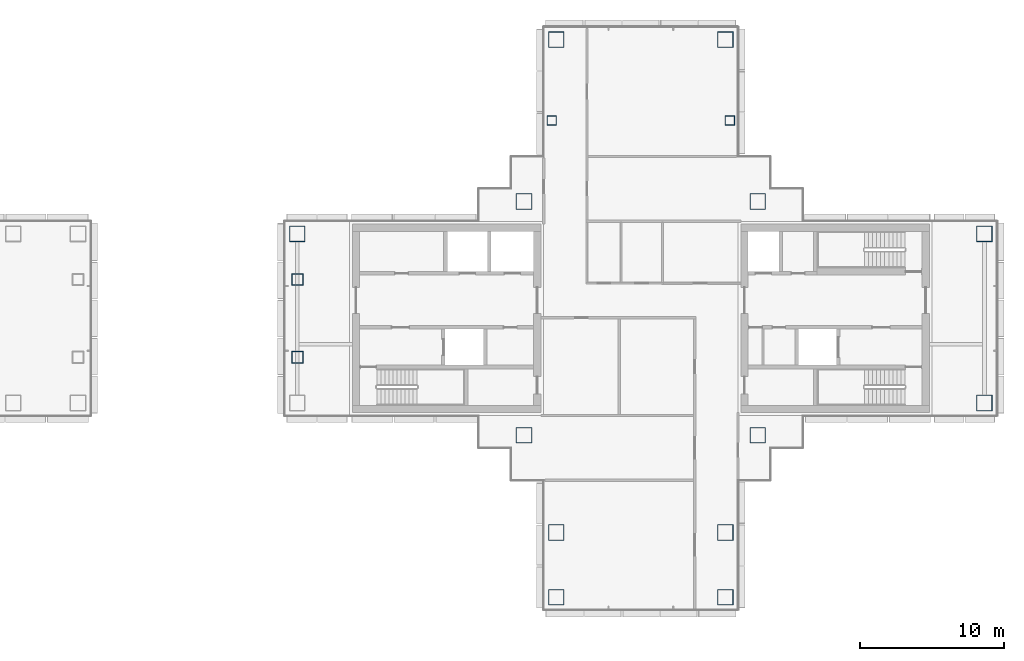
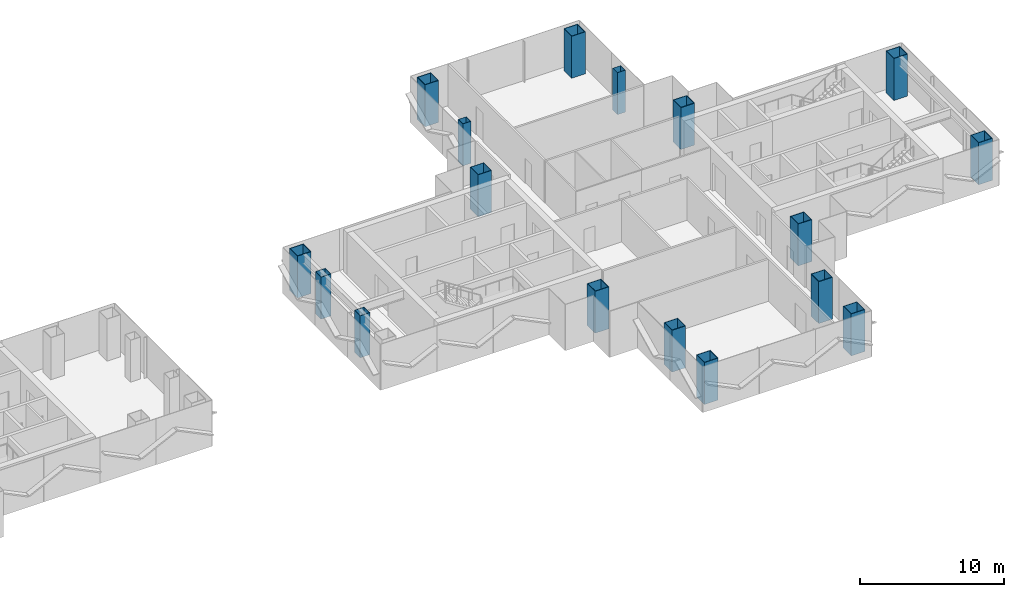
# One storey, part 2 of 16: 17 columns.
"""IFC4 building model written with IfcOpenShell, lengths in metres."""

from ifc_helpers import new_model, si_unit, direction, frame, origin, origin_2d, place, context, subcontext, project, spatial, hollow_rectangle, extrude, material, material_profile, profile_set, type_object, element, save


model = new_model("IFC4")

# Units and contexts
model_context = context("Model", 3, precision=1e-05, world=origin(), true_north=direction((0.0, 1.0)))
body_context = subcontext(model_context, "Body", "Model", "MODEL_VIEW")
ifc_project = project(units=[si_unit("LENGTHUNIT", "METRE"), si_unit("AREAUNIT", "SQUARE_METRE"), si_unit("VOLUMEUNIT", "CUBIC_METRE"), si_unit("PLANEANGLEUNIT", "RADIAN"), si_unit("MASSUNIT", "GRAM", prefix="KILO")], contexts=[model_context])

# Site, building, storey
site_placement = place(None, origin())
site = spatial("IfcSite", under=ifc_project, at=site_placement, CompositionType="ELEMENT")
building_placement = place(site_placement, origin())
building = spatial("IfcBuilding", under=site, at=building_placement, Name="Shamsa Quay Exchange Towers", CompositionType="ELEMENT")
storey_placement = place(building_placement, frame((0.0, 0.0, 162.300048828125)))
storey = spatial("IfcBuildingStorey", under=building, at=storey_placement, Name="L38", CompositionType="ELEMENT", Elevation=162.300048828125)

# Columns
ifc_material_1 = material(Name="Concrete-filled steel tube S355 / C80/95", Category="concrete")
ifc_material_profile_1 = material_profile(ifc_material_1, hollow_rectangle(XDim=1.10009765625, YDim=1.10009765625, WallThickness=0.0400390625, at=origin_2d()), Name="CFT 1100x1100x40")
ifc_profile_set_1 = profile_set([ifc_material_profile_1], Name="Concrete-filled steel tube S355 / C80/95")
column_type_1 = type_object("IfcColumnType", Name="Column CFT 1100x1100x40", PredefinedType="COLUMN", material=ifc_profile_set_1)
for number, where, name in (
    (1, (25.625, 8.125, 0.0), "Mega column T2-CM01"),
    (2, (41.875, 8.125, 0.0), "Mega column T2-CM02"),
    (3, (25.625, -8.125, 0.0), "Mega column T2-CM03"),
    (4, (41.875, -8.125, 0.0), "Mega column T2-CM04"),
    (5, (39.625, 19.375, 0.0), "Mega column T2-CM06"),
    (6, (27.875, 19.375, 0.0), "Mega column T2-CM10"),
    (7, (39.625, -14.875, 0.0), "Mega column T2-CM13"),
    (8, (39.625, -19.375, 0.0), "Mega column T2-CM14"),
    (9, (27.875, -14.875, 0.0), "Mega column T2-CM16"),
    (10, (27.875, -19.375, 0.0), "Mega column T2-CM17"),
    (11, (9.875, 5.875, 0.0), "Mega column T2-CM20"),
    (12, (57.625, -5.875, 0.0), "Mega column T2-CM21"),
    (13, (57.625, 5.875, 0.0), "Mega column T2-CM23"),
):
    element("IfcColumn", number, at=place(storey_placement, frame(where)), inside=storey, type_object=column_type_1, Name=name, PredefinedType="COLUMN", context=body_context, shape_type="SweptSolid", body=[
        extrude(hollow_rectangle(XDim=1.10009765625, YDim=1.10009765625, WallThickness=0.0400390625, at=origin_2d()), origin(), (0.0, 0.0, 1.0), 3.550048828125),
    ])
ifc_material_2 = material(Name="Concrete-filled steel tube S355 / C60/75", Category="concrete")
ifc_material_profile_2 = material_profile(ifc_material_2, hollow_rectangle(XDim=0.64990234375, YDim=0.64990234375, WallThickness=0.02001953125, at=origin_2d()), Name="CFT 650x650x20")
ifc_profile_set_2 = profile_set([ifc_material_profile_2], Name="Concrete-filled steel tube S355 / C60/75")
column_type_2 = type_object("IfcColumnType", Name="Column CFT 650x650x20", PredefinedType="COLUMN", material=ifc_profile_set_2)
for number, where, name in (
    (14, (39.9375, 13.75, 0.0), "Perimeter column T2-CP05"),
    (15, (27.5625, 13.75, 0.0), "Perimeter column T2-CP09"),
):
    element("IfcColumn", number, at=place(storey_placement, frame(where)), inside=storey, type_object=column_type_2, Name=name, PredefinedType="COLUMN", context=body_context, shape_type="SweptSolid", body=[
        extrude(hollow_rectangle(XDim=0.64990234375, YDim=0.64990234375, WallThickness=0.02001953125, at=origin_2d()), origin(), (0.0, 0.0, 1.0), 3.550048828125),
    ])
ifc_material_3 = material(Name="Concrete-filled steel tube S355 / C70/85", Category="concrete")
ifc_material_profile_3 = material_profile(ifc_material_3, hollow_rectangle(XDim=0.800048828125, YDim=0.800048828125, WallThickness=0.030029296875, at=origin_2d()), Name="CFT 800x800x30")
ifc_profile_set_3 = profile_set([ifc_material_profile_3], Name="Concrete-filled steel tube S355 / C70/85")
column_type_3 = type_object("IfcColumnType", Name="Landing column CFT 800x800x30", PredefinedType="COLUMN", material=ifc_profile_set_3)
for number, where, name in (
    (16, (9.875, -2.699951171875, 0.0), "Landing column T2 S"),
    (17, (9.875, 2.699951171875, 0.0), "Landing column T2 N"),
):
    element("IfcColumn", number, at=place(storey_placement, frame(where)), inside=storey, type_object=column_type_3, Name=name, PredefinedType="COLUMN", context=body_context, shape_type="SweptSolid", body=[
        extrude(hollow_rectangle(XDim=0.800048828125, YDim=0.800048828125, WallThickness=0.030029296875, at=origin_2d()), origin(), (0.0, 0.0, 1.0), 3.550048828125),
    ])

save(model, "model.ifc")
